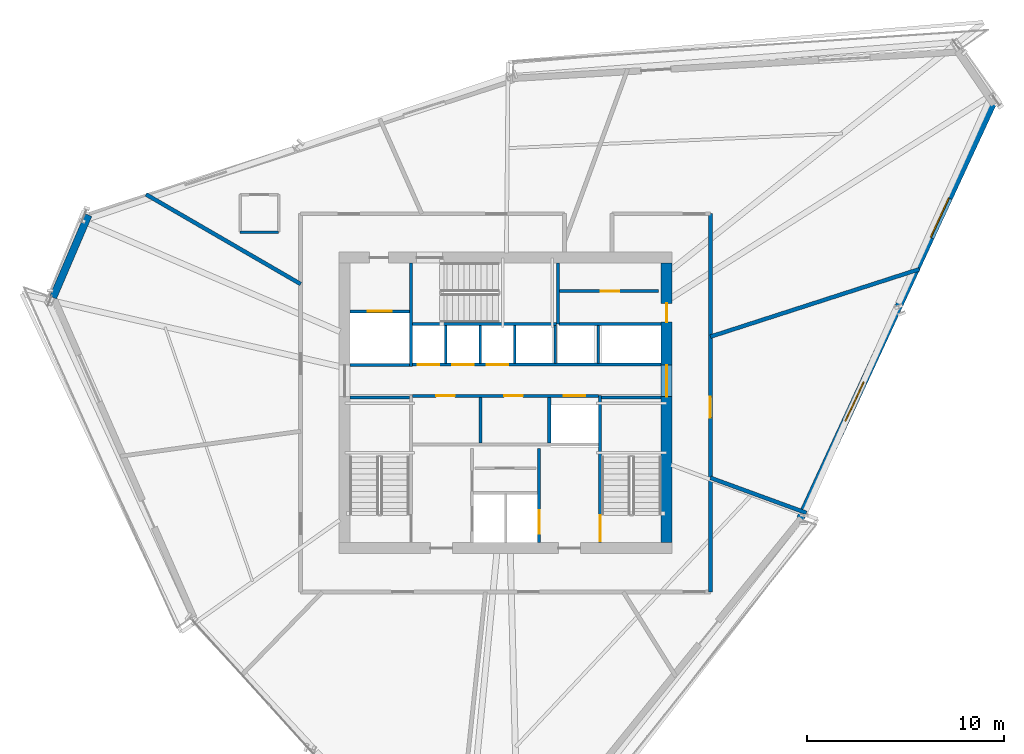
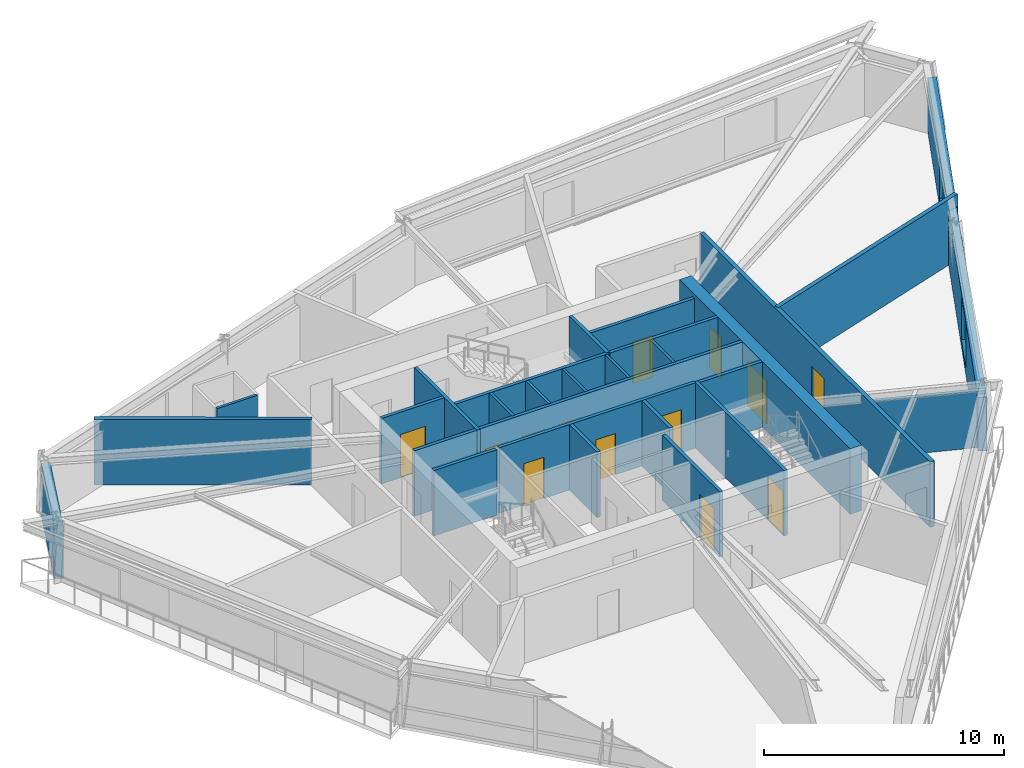
# One storey, part 9 of 13: 28 walls, 13 doors, 2 windows, 15 openings.
"""IFC4 building model written with IfcOpenShell, lengths in metres."""

from ifc_helpers import new_model, si_unit, direction, frame, frame_2d, origin, place, context, subcontext, project, spatial, rectangle, extrude, source, transform, mapped, material, layer, layer_set, type_object, type_shapes, element, fill, save


model = new_model("IFC4")

# Units and contexts
model_context = context("Model", 3, precision=1e-05, world=origin(), true_north=direction((0.0, 1.0)))
body_context = subcontext(model_context, "Body", "Model", "MODEL_VIEW")
ifc_project = project(units=[si_unit("LENGTHUNIT", "METRE"), si_unit("AREAUNIT", "SQUARE_METRE"), si_unit("VOLUMEUNIT", "CUBIC_METRE"), si_unit("PLANEANGLEUNIT", "RADIAN"), si_unit("MASSUNIT", "GRAM", prefix="KILO")], contexts=[model_context])

# Site, building, storey
site_placement = place(None, origin())
site = spatial("IfcSite", under=ifc_project, at=site_placement, CompositionType="ELEMENT")
building_placement = place(site_placement, origin())
building = spatial("IfcBuilding", under=site, at=building_placement, Name="Olszyna Solenne Hotel", CompositionType="ELEMENT")
storey_placement = place(building_placement, frame((0.0, 0.0, 175.0)))
storey = spatial("IfcBuildingStorey", under=building, at=storey_placement, Name="L46", CompositionType="ELEMENT", Elevation=175.0)

# Wall, openings, doors
ifc_material_1 = material(Name="Concrete C50/60", Category="concrete")
ifc_layer_1 = layer(ifc_material_1, 0.550048828125, Name="Concrete C50/60")
ifc_layer_set_1 = layer_set([ifc_layer_1], Name="Concrete C50/60")
wall_type_1 = type_object("IfcWallType", Name="WL-CR550", PredefinedType="SHEAR", material=ifc_layer_set_1)
wall_1_placement = place(storey_placement, frame((46.175048828125, 33.699951171875, 0.0), z_axis=(0.0, 0.0, 1.0), x_axis=(0.0, -1.0, 0.0)))
wall_1 = element("IfcWall", 1, at=wall_1_placement, inside=storey, type_object=wall_type_1, Name="Core shear wall WL-CR550 CRW-L46-E", PredefinedType="SHEAR", context=body_context, shape_type="SweptSolid", body=[
    extrude(rectangle(XDim=14.199951171875, YDim=0.550048828125, at=frame_2d((7.10009765625, 0.0))), origin(), (0.0, 0.0, 1.0), 3.330078125),
])
opening_1_placement = place(wall_1_placement, frame((5.179931640625, 0.0, 0.0)))
opening_1 = element("IfcOpeningElement", 2, at=opening_1_placement, cuts=wall_1, Name="Opening LHD-L46-E", PredefinedType="OPENING", context=body_context, shape_type="SweptSolid", body=[
    extrude(rectangle(XDim=1.60009765625, YDim=2.199951171875, at=frame_2d((0.800048828125, 1.10009765625))), frame((0.0, 0.28515625, 0.0), z_axis=(0.0, -1.0, 0.0), x_axis=(1.0, 0.0, 0.0)), (0.0, 0.0, 1.0), 0.570068359375),
])
opening_2_placement = place(wall_1_placement, frame((2.050048828125, 0.0, 0.0)))
opening_2 = element("IfcOpeningElement", 3, at=opening_2_placement, cuts=wall_1, Name="Opening SVD-L46-BE", PredefinedType="OPENING", context=body_context, shape_type="SweptSolid", body=[
    extrude(rectangle(XDim=0.949951171875, YDim=2.10009765625, at=frame_2d((0.47509765625, 1.050048828125))), frame((0.0, 0.28515625, 0.0), z_axis=(0.0, -1.0, 0.0), x_axis=(1.0, 0.0, 0.0)), (0.0, 0.0, 1.0), 0.570068359375),
])
ifc_material_2 = material(Name="Steel S355J2", Category="steel")
door_type_1 = type_object("IfcDoorType", Name="DR-SV1", OperationType="NOTDEFINED", PredefinedType="DOOR", material=ifc_material_2)
shared_shape_1 = source(origin(), body_context, "Body", "SweptSolid", [
    extrude(rectangle(XDim=0.949951171875, YDim=2.10009765625, at=frame_2d((0.47509765625, 1.050048828125))), frame((0.0, 0.02490234375, 0.0), z_axis=(0.0, -1.0, 0.0), x_axis=(1.0, 0.0, 0.0)), (0.0, 0.0, 1.0), 0.050048828125),
])
type_shapes(door_type_1, [shared_shape_1])
door_1_placement = place(opening_2_placement, origin())
door_1 = element("IfcDoor", 4, at=door_1_placement, inside=storey, type_object=door_type_1, Name="Housekeeping core fire door SVD-L46-BE", OperationType="SINGLE_SWING_RIGHT", OverallHeight=2.10009765625, OverallWidth=0.949951171875, PredefinedType="DOOR", context=body_context, shape_type="MappedRepresentation", body=[
    mapped(shared_shape_1, transform((0.0, 0.0, 0.0), x_axis=(1.0, 0.0, 0.0), y_axis=(0.0, 1.0, 0.0), z_axis=(0.0, 0.0, 1.0), scale=1.0)),
])
fill(opening_2, door_1)
ifc_material_3 = material(Name="Timber hardwood", Category="wood")
door_type_2 = type_object("IfcDoorType", Name="DR-CR1", OperationType="DOUBLE_DOOR_SINGLE_SWING", PredefinedType="DOOR", material=ifc_material_3)
shared_shape_2 = source(origin(), body_context, "Body", "SweptSolid", [
    extrude(rectangle(XDim=1.60009765625, YDim=2.199951171875, at=frame_2d((0.800048828125, 1.10009765625))), frame((0.0, 0.02490234375, 0.0), z_axis=(0.0, -1.0, 0.0), x_axis=(1.0, 0.0, 0.0)), (0.0, 0.0, 1.0), 0.050048828125),
])
type_shapes(door_type_2, [shared_shape_2])
door_2_placement = place(opening_1_placement, origin())
door_2 = element("IfcDoor", 5, at=door_2_placement, inside=storey, type_object=door_type_2, Name="Passenger lift lobby East fire door LHD-L46-E", OperationType="DOUBLE_DOOR_SINGLE_SWING", OverallHeight=2.199951171875, OverallWidth=1.60009765625, PredefinedType="DOOR", context=body_context, shape_type="MappedRepresentation", body=[
    mapped(shared_shape_2, transform((0.0, 0.0, 0.0), x_axis=(1.0, 0.0, 0.0), y_axis=(0.0, 1.0, 0.0), z_axis=(0.0, 0.0, 1.0), scale=1.0)),
])
fill(opening_1, door_2)

# Wall
ifc_material_4 = material(Name="Terracotta cladding on precast concrete C45/55", Category="masonry")
ifc_layer_2 = layer(ifc_material_4, 0.3798828125, Name="Terracotta cladding on precast concrete C45/55")
ifc_layer_set_2 = layer_set([ifc_layer_2], Name="Terracotta cladding on precast concrete C45/55")
wall_type_2 = type_object("IfcWallType", Name="WL-EX380", PredefinedType="SOLIDWALL", material=ifc_layer_set_2)
wall_2_placement = place(storey_placement, frame((15.025390625, 31.944091796875, 0.0), z_axis=(0.0, 0.0, 1.0), x_axis=(0.393899918286, 0.919153335616, 0.0)))
element("IfcWall", 6, at=wall_2_placement, inside=storey, type_object=wall_type_2, Name="Exterior terracotta-precast frame wall WL-EX380 EW-L46-06", PredefinedType="SOLIDWALL", context=body_context, shape_type="SweptSolid", body=[
    extrude(rectangle(XDim=4.56103515625, YDim=0.3798828125, at=frame_2d((2.280517578125, 0.0))), origin(), (0.0, 0.0, 1.0), 2.721923828125),
])

# Wall, openings, windows
wall_3_placement = place(storey_placement, frame((62.79248046875, 41.937744140625, 0.0), z_axis=(0.0, 0.0, 1.0), x_axis=(-0.420482819505, -0.907300500662, 0.0)))
wall_3 = element("IfcWall", 7, at=wall_3_placement, inside=storey, type_object=wall_type_2, Name="Exterior terracotta-precast frame wall WL-EX380 EW-L46-10", PredefinedType="SOLIDWALL", context=body_context, shape_type="SweptSolid", body=[
    extrude(rectangle(XDim=23.378173828125, YDim=0.3798828125, at=frame_2d((11.68896484375, 0.0))), origin(), (0.0, 0.0, 1.0), 2.721923828125),
])
opening_3_placement = place(wall_3_placement, frame((5.446044921875, 0.0, 0.35205078125)))
opening_3 = element("IfcOpeningElement", 8, at=opening_3_placement, cuts=wall_3, Name="Opening WN-L46-291", PredefinedType="OPENING", context=body_context, shape_type="SweptSolid", body=[
    extrude(rectangle(XDim=2.199951171875, YDim=2.25, at=frame_2d((1.10009765625, 1.125))), frame((0.0, 0.199951171875, 0.0), z_axis=(0.0, -1.0, 0.0), x_axis=(1.0, 0.0, 0.0)), (0.0, 0.0, 1.0), 0.39990234375),
])
opening_4_placement = place(wall_3_placement, frame((15.73193359375, 0.0, 0.35205078125)))
opening_4 = element("IfcOpeningElement", 9, at=opening_4_placement, cuts=wall_3, Name="Opening WN-L46-292", PredefinedType="OPENING", context=body_context, shape_type="SweptSolid", body=[
    extrude(rectangle(XDim=2.199951171875, YDim=2.25, at=frame_2d((1.10009765625, 1.125))), frame((0.0, 0.199951171875, 0.0), z_axis=(0.0, -1.0, 0.0), x_axis=(1.0, 0.0, 0.0)), (0.0, 0.0, 1.0), 0.39990234375),
])
ifc_material_5 = material(Name="Low-E triple glazing", Category="glass")
window_type = type_object("IfcWindowType", Name="WN-HT2", PartitioningType="SINGLE_PANEL", PredefinedType="WINDOW", material=ifc_material_5)
shared_shape_3 = source(origin(), body_context, "Body", "SweptSolid", [
    extrude(rectangle(XDim=2.199951171875, YDim=2.25, at=frame_2d((1.10009765625, 1.125))), frame((0.0, 0.030029296875, 0.0), z_axis=(0.0, -1.0, 0.0), x_axis=(1.0, 0.0, 0.0)), (0.0, 0.0, 1.0), 0.06005859375),
])
type_shapes(window_type, [shared_shape_3])
window_1_placement = place(opening_3_placement, origin())
window_1 = element("IfcWindow", 10, at=window_1_placement, inside=storey, type_object=window_type, Name="Exterior facade window WN-HT2 WN-L46-291", OverallHeight=2.25, OverallWidth=2.199951171875, PartitioningType="SINGLE_PANEL", PredefinedType="WINDOW", context=body_context, shape_type="MappedRepresentation", body=[
    mapped(shared_shape_3, transform((0.0, 0.0, 0.0), x_axis=(1.0, 0.0, 0.0), y_axis=(0.0, 1.0, 0.0), z_axis=(0.0, 0.0, 1.0), scale=1.0)),
])
fill(opening_3, window_1)
window_2_placement = place(opening_4_placement, origin())
window_2 = element("IfcWindow", 11, at=window_2_placement, inside=storey, type_object=window_type, Name="Exterior facade window WN-HT2 WN-L46-292", OverallHeight=2.25, OverallWidth=2.199951171875, PartitioningType="SINGLE_PANEL", PredefinedType="WINDOW", context=body_context, shape_type="MappedRepresentation", body=[
    mapped(shared_shape_3, transform((0.0, 0.0, 0.0), x_axis=(1.0, 0.0, 0.0), y_axis=(0.0, 1.0, 0.0), z_axis=(0.0, 0.0, 1.0), scale=1.0)),
])
fill(opening_4, window_2)

# Walls
ifc_material_6 = material(Name="Acoustic gypsum partition", Category="gypsum")
ifc_layer_3 = layer(ifc_material_6, 0.125, Name="Acoustic gypsum partition")
ifc_layer_set_3 = layer_set([ifc_layer_3], Name="Acoustic gypsum partition")
wall_type_3 = type_object("IfcWallType", Name="WL-PT125", PredefinedType="PARTITIONING", material=ifc_layer_set_3)
for number, where, z_axis, x_axis, name in (
    (12, (34.965087890625, 28.60009765625, 0.0), (0.0, 0.0, 1.0), (0.0, 1.0, 0.0), "Core shaft compartment wall CW-L46-DIVN349"),
    (13, (36.715087890625, 28.60009765625, 0.0), (0.0, 0.0, 1.0), (0.0, 1.0, 0.0), "Core shaft compartment wall CW-L46-DIVN367"),
    (14, (38.465087890625, 28.60009765625, 0.0), (0.0, 0.0, 1.0), (0.0, 1.0, 0.0), "Core shaft compartment wall CW-L46-DIVN384"),
    (15, (40.52490234375, 28.60009765625, 0.0), (0.0, 0.0, 1.0), (0.0, 1.0, 0.0), "Core shaft compartment wall CW-L46-DIVEX405"),
    (16, (42.699951171875, 28.60009765625, 0.0), (0.0, 0.0, 1.0), (0.0, 1.0, 0.0), "Core shaft compartment wall CW-L46-DIVEX427"),
):
    element("IfcWall", number, at=place(storey_placement, frame(where, z_axis=z_axis, x_axis=x_axis)), inside=storey, type_object=wall_type_3, Name=name, PredefinedType="PARTITIONING", context=body_context, shape_type="SweptSolid", body=[
        extrude(rectangle(XDim=1.919921875, YDim=0.125, at=frame_2d((0.9599609375, 0.0))), origin(), (0.0, 0.0, 1.0), 3.330078125),
    ])
wall_4_placement = place(storey_placement, frame((24.52490234375, 35.26904296875, 0.0), z_axis=(0.0, 0.0, 1.0), x_axis=(1.0, 0.0, 0.0)))
element("IfcWall", 17, at=wall_4_placement, inside=storey, type_object=wall_type_3, Name="Interior acoustic partition WL-PT125 PW-L46-2578", PredefinedType="PARTITIONING", context=body_context, shape_type="SweptSolid", body=[
    extrude(rectangle(XDim=1.9501953125, YDim=0.125, at=frame_2d((0.97509765625, 0.0))), origin(), (0.0, 0.0, 1.0), 3.330078125),
])
ifc_layer_4 = layer(ifc_material_6, 0.159912109375, Name="Acoustic gypsum partition")
ifc_layer_set_4 = layer_set([ifc_layer_4], Name="Acoustic gypsum partition")
wall_type_4 = type_object("IfcWallType", Name="WL-PT160", PredefinedType="PARTITIONING", material=ifc_layer_set_4)
wall_5_placement = place(storey_placement, frame((30.10009765625, 26.8798828125, 0.0), z_axis=(0.0, 0.0, 1.0), x_axis=(1.0, 0.0, 0.0)))
element("IfcWall", 18, at=wall_5_placement, inside=storey, type_object=wall_type_4, Name="Core shaft compartment wall CW-L46-ST1N", PredefinedType="PARTITIONING", context=body_context, shape_type="SweptSolid", body=[
    extrude(rectangle(XDim=3.02001953125, YDim=0.159912109375, at=frame_2d((1.510009765625, 0.0))), origin(), (0.0, 0.0, 1.0), 3.330078125),
])

# Wall, opening, door
wall_6_placement = place(storey_placement, frame((42.800048828125, 26.9599609375, 0.0), z_axis=(0.0, 0.0, 1.0), x_axis=(0.0, -1.0, 0.0)))
wall_6 = element("IfcWall", 19, at=wall_6_placement, inside=storey, type_object=wall_type_4, Name="Core shaft compartment wall CW-L46-ST2W", PredefinedType="PARTITIONING", context=body_context, shape_type="SweptSolid", body=[
    extrude(rectangle(XDim=7.4599609375, YDim=0.159912109375, at=frame_2d((3.72998046875, 0.0))), origin(), (0.0, 0.0, 1.0), 3.330078125),
])
opening_5_placement = place(wall_6_placement, frame((6.06005859375, 0.0, 0.0)))
opening_5 = element("IfcOpeningElement", 20, at=opening_5_placement, cuts=wall_6, Name="Opening STD-L46-02", PredefinedType="OPENING", context=body_context, shape_type="SweptSolid", body=[
    extrude(rectangle(XDim=1.320068359375, YDim=2.199951171875, at=frame_2d((0.66015625, 1.10009765625))), frame((0.0, 0.08984375, 0.0), z_axis=(0.0, -1.0, 0.0), x_axis=(1.0, 0.0, 0.0)), (0.0, 0.0, 1.0), 0.179931640625),
])
door_type_3 = type_object("IfcDoorType", Name="DR-ST1", OperationType="NOTDEFINED", PredefinedType="DOOR", material=ifc_material_2)
shared_shape_4 = source(origin(), body_context, "Body", "SweptSolid", [
    extrude(rectangle(XDim=1.320068359375, YDim=2.199951171875, at=frame_2d((0.66015625, 1.10009765625))), frame((0.0, 0.02490234375, 0.0), z_axis=(0.0, -1.0, 0.0), x_axis=(1.0, 0.0, 0.0)), (0.0, 0.0, 1.0), 0.050048828125),
])
type_shapes(door_type_3, [shared_shape_4])
door_3_placement = place(opening_5_placement, origin())
door_3 = element("IfcDoor", 21, at=door_3_placement, inside=storey, type_object=door_type_3, Name="Pressurised exit stair ST2 fire door STD-L46-02", OperationType="SINGLE_SWING_RIGHT", OverallHeight=2.199951171875, OverallWidth=1.320068359375, PredefinedType="DOOR", context=body_context, shape_type="MappedRepresentation", body=[
    mapped(shared_shape_4, transform((0.0, 0.0, 0.0), x_axis=(1.0, 0.0, 0.0), y_axis=(0.0, 1.0, 0.0), z_axis=(0.0, 0.0, 1.0), scale=1.0)),
])
fill(opening_5, door_3)

# Walls
wall_7_placement = place(storey_placement, frame((42.8798828125, 26.8798828125, 0.0), z_axis=(0.0, 0.0, 1.0), x_axis=(1.0, 0.0, 0.0)))
element("IfcWall", 22, at=wall_7_placement, inside=storey, type_object=wall_type_4, Name="Core shaft compartment wall CW-L46-ST2N", PredefinedType="PARTITIONING", context=body_context, shape_type="SweptSolid", body=[
    extrude(rectangle(XDim=3.02001953125, YDim=0.159912109375, at=frame_2d((1.510009765625, 0.0))), origin(), (0.0, 0.0, 1.0), 3.330078125),
])
wall_8_placement = place(storey_placement, frame((33.280029296875, 30.60009765625, 0.0), z_axis=(0.0, 0.0, 1.0), x_axis=(1.0, 0.0, 0.0)))
element("IfcWall", 23, at=wall_8_placement, inside=storey, type_object=wall_type_4, Name="Core shaft compartment wall CW-L46-ST3S", PredefinedType="PARTITIONING", context=body_context, shape_type="SweptSolid", body=[
    extrude(rectangle(XDim=7.300048828125, YDim=0.159912109375, at=frame_2d((3.64990234375, 0.0))), origin(), (0.0, 0.0, 1.0), 3.330078125),
])
wall_9_placement = place(storey_placement, frame((40.659912109375, 30.60009765625, 0.0), z_axis=(0.0, 0.0, 1.0), x_axis=(0.0, 1.0, 0.0)))
element("IfcWall", 24, at=wall_9_placement, inside=storey, type_object=wall_type_4, Name="Core shaft compartment wall CW-L46-ST3E", PredefinedType="PARTITIONING", context=body_context, shape_type="SweptSolid", body=[
    extrude(rectangle(XDim=3.099853515625, YDim=0.159912109375, at=frame_2d((1.5498046875, 0.0))), origin(), (0.0, 0.0, 1.0), 3.330078125),
])

# Wall, opening, door
wall_10_placement = place(storey_placement, frame((39.699951171875, 24.280029296875, 0.0), z_axis=(0.0, 0.0, 1.0), x_axis=(0.0, -1.0, 0.0)))
wall_10 = element("IfcWall", 25, at=wall_10_placement, inside=storey, type_object=wall_type_4, Name="Core shaft compartment wall CW-L46-FF2E", PredefinedType="PARTITIONING", context=body_context, shape_type="SweptSolid", body=[
    extrude(rectangle(XDim=4.780029296875, YDim=0.159912109375, at=frame_2d((2.39013671875, 0.0))), origin(), (0.0, 0.0, 1.0), 3.330078125),
])
opening_6_placement = place(wall_10_placement, frame((3.1201171875, 0.0, 0.0)))
opening_6 = element("IfcOpeningElement", 26, at=opening_6_placement, cuts=wall_10, Name="Opening LD-L46-FF2", PredefinedType="OPENING", context=body_context, shape_type="SweptSolid", body=[
    extrude(rectangle(XDim=1.199951171875, YDim=2.199951171875, at=frame_2d((0.60009765625, 1.10009765625))), frame((0.0, 0.08984375, 0.0), z_axis=(0.0, -1.0, 0.0), x_axis=(1.0, 0.0, 0.0)), (0.0, 0.0, 1.0), 0.179931640625),
])
door_type_4 = type_object("IfcDoorType", Name="LD-FF1", OperationType="DOUBLE_DOOR_SLIDING", PredefinedType="DOOR", material=ifc_material_2)
shared_shape_5 = source(origin(), body_context, "Body", "SweptSolid", [
    extrude(rectangle(XDim=1.199951171875, YDim=2.199951171875, at=frame_2d((0.60009765625, 1.10009765625))), frame((0.0, 0.02490234375, 0.0), z_axis=(0.0, -1.0, 0.0), x_axis=(1.0, 0.0, 0.0)), (0.0, 0.0, 1.0), 0.050048828125),
])
type_shapes(door_type_4, [shared_shape_5])
door_4_placement = place(opening_6_placement, origin())
door_4 = element("IfcDoor", 27, at=door_4_placement, inside=storey, type_object=door_type_4, Name="Firefighters lift FF2 sliding landing door LD-L46-FF2", OperationType="DOUBLE_DOOR_SLIDING", OverallHeight=2.199951171875, OverallWidth=1.199951171875, PredefinedType="DOOR", context=body_context, shape_type="MappedRepresentation", body=[
    mapped(shared_shape_5, transform((0.0, 0.0, 0.0), x_axis=(1.0, 0.0, 0.0), y_axis=(0.0, 1.0, 0.0), z_axis=(0.0, 0.0, 1.0), scale=1.0)),
])
fill(opening_6, door_4)

# Walls
wall_11_placement = place(storey_placement, frame((30.10009765625, 28.52001953125, 0.0), z_axis=(0.0, 0.0, 1.0), x_axis=(1.0, 0.0, 0.0)))
element("IfcWall", 28, at=wall_11_placement, inside=storey, type_object=wall_type_4, Name="Core shaft compartment wall CW-L46-SV1S", PredefinedType="PARTITIONING", context=body_context, shape_type="SweptSolid", body=[
    extrude(rectangle(XDim=3.02001953125, YDim=0.159912109375, at=frame_2d((1.510009765625, 0.0))), origin(), (0.0, 0.0, 1.0), 3.330078125),
])
wall_12_placement = place(storey_placement, frame((33.199951171875, 28.43994140625, 0.0), z_axis=(0.0, 0.0, 1.0), x_axis=(0.0, 1.0, 0.0)))
element("IfcWall", 29, at=wall_12_placement, inside=storey, type_object=wall_type_4, Name="Core shaft compartment wall CW-L46-SV1E", PredefinedType="PARTITIONING", context=body_context, shape_type="SweptSolid", body=[
    extrude(rectangle(XDim=5.260009765625, YDim=0.159912109375, at=frame_2d((2.6298828125, 0.0))), origin(), (0.0, 0.0, 1.0), 3.330078125),
])

# Wall, opening, door
wall_13_placement = place(storey_placement, frame((30.10009765625, 31.239990234375, 0.0), z_axis=(0.0, 0.0, 1.0), x_axis=(1.0, 0.0, 0.0)))
wall_13 = element("IfcWall", 30, at=wall_13_placement, inside=storey, type_object=wall_type_4, Name="Core shaft compartment wall CW-L46-SV1N", PredefinedType="PARTITIONING", context=body_context, shape_type="SweptSolid", body=[
    extrude(rectangle(XDim=3.02001953125, YDim=0.159912109375, at=frame_2d((1.510009765625, 0.0))), origin(), (0.0, 0.0, 1.0), 3.330078125),
])
opening_7_placement = place(wall_13_placement, frame((0.909912109375, 0.0, 0.0)))
opening_7 = element("IfcOpeningElement", 31, at=opening_7_placement, cuts=wall_13, Name="Opening LD-L46-SV1", PredefinedType="OPENING", context=body_context, shape_type="SweptSolid", body=[
    extrude(rectangle(XDim=1.199951171875, YDim=2.199951171875, at=frame_2d((0.60009765625, 1.10009765625))), frame((0.0, 0.08984375, 0.0), z_axis=(0.0, -1.0, 0.0), x_axis=(1.0, 0.0, 0.0)), (0.0, 0.0, 1.0), 0.179931640625),
])
door_5_placement = place(opening_7_placement, origin())
door_5 = element("IfcDoor", 32, at=door_5_placement, inside=storey, type_object=door_type_4, Name="Service lift SV1 sliding landing door LD-L46-SV1", OperationType="DOUBLE_DOOR_SLIDING", OverallHeight=2.199951171875, OverallWidth=1.199951171875, PredefinedType="DOOR", context=body_context, shape_type="MappedRepresentation", body=[
    mapped(shared_shape_5, transform((0.0, 0.0, 0.0), x_axis=(1.0, 0.0, 0.0), y_axis=(0.0, 1.0, 0.0), z_axis=(0.0, 0.0, 1.0), scale=1.0)),
])
fill(opening_7, door_5)

# Wall, openings, doors
wall_14_placement = place(storey_placement, frame((33.280029296875, 26.949951171875, 0.0), z_axis=(0.0, 0.0, 1.0), x_axis=(1.0, 0.0, 0.0)))
wall_14 = element("IfcWall", 33, at=wall_14_placement, inside=storey, type_object=wall_type_4, Name="Core shaft compartment wall CW-L46-LRS", PredefinedType="PARTITIONING", context=body_context, shape_type="SweptSolid", body=[
    extrude(rectangle(XDim=9.43994140625, YDim=0.159912109375, at=frame_2d((4.719970703125, 0.0))), origin(), (0.0, 0.0, 1.0), 3.330078125),
])
opening_8_placement = place(wall_14_placement, frame((1.199951171875, 0.0, 0.0)))
opening_8 = element("IfcOpeningElement", 34, at=opening_8_placement, cuts=wall_14, Name="Opening SVD-L46-L71", PredefinedType="OPENING", context=body_context, shape_type="SweptSolid", body=[
    extrude(rectangle(XDim=0.949951171875, YDim=2.10009765625, at=frame_2d((0.47509765625, 1.050048828125))), frame((0.0, 0.08984375, 0.0), z_axis=(0.0, -1.0, 0.0), x_axis=(1.0, 0.0, 0.0)), (0.0, 0.0, 1.0), 0.179931640625),
])
opening_9_placement = place(wall_14_placement, frame((4.64990234375, 0.0, 0.0)))
opening_9 = element("IfcOpeningElement", 35, at=opening_9_placement, cuts=wall_14, Name="Opening SVD-L46-L72", PredefinedType="OPENING", context=body_context, shape_type="SweptSolid", body=[
    extrude(rectangle(XDim=0.949951171875, YDim=2.10009765625, at=frame_2d((0.47509765625, 1.050048828125))), frame((0.0, 0.08984375, 0.0), z_axis=(0.0, -1.0, 0.0), x_axis=(1.0, 0.0, 0.0)), (0.0, 0.0, 1.0), 0.179931640625),
])
opening_10_placement = place(wall_14_placement, frame((7.669921875, 0.0, 0.0)))
opening_10 = element("IfcOpeningElement", 36, at=opening_10_placement, cuts=wall_14, Name="Opening LD-L46-PL5", PredefinedType="OPENING", context=body_context, shape_type="SweptSolid", body=[
    extrude(rectangle(XDim=1.10009765625, YDim=2.199951171875, at=frame_2d((0.550048828125, 1.10009765625))), frame((0.0, 0.08984375, 0.0), z_axis=(0.0, -1.0, 0.0), x_axis=(1.0, 0.0, 0.0)), (0.0, 0.0, 1.0), 0.179931640625),
])
door_6_placement = place(opening_8_placement, origin())
door_6 = element("IfcDoor", 37, at=door_6_placement, inside=storey, type_object=door_type_1, Name="Recaptured core room fire door SVD-L46-L71", OperationType="SINGLE_SWING_LEFT", OverallHeight=2.10009765625, OverallWidth=0.949951171875, PredefinedType="DOOR", context=body_context, shape_type="MappedRepresentation", body=[
    mapped(shared_shape_1, transform((0.0, 0.0, 0.0), x_axis=(1.0, 0.0, 0.0), y_axis=(0.0, 1.0, 0.0), z_axis=(0.0, 0.0, 1.0), scale=1.0)),
])
fill(opening_8, door_6)
door_7_placement = place(opening_9_placement, origin())
door_7 = element("IfcDoor", 38, at=door_7_placement, inside=storey, type_object=door_type_1, Name="Recaptured core room fire door SVD-L46-L72", OperationType="SINGLE_SWING_RIGHT", OverallHeight=2.10009765625, OverallWidth=0.949951171875, PredefinedType="DOOR", context=body_context, shape_type="MappedRepresentation", body=[
    mapped(shared_shape_1, transform((0.0, 0.0, 0.0), x_axis=(1.0, 0.0, 0.0), y_axis=(0.0, 1.0, 0.0), z_axis=(0.0, 0.0, 1.0), scale=1.0)),
])
fill(opening_9, door_7)
door_type_5 = type_object("IfcDoorType", Name="LD-P1", OperationType="DOUBLE_DOOR_SLIDING", PredefinedType="DOOR", material=ifc_material_2)
shared_shape_6 = source(origin(), body_context, "Body", "SweptSolid", [
    extrude(rectangle(XDim=1.10009765625, YDim=2.199951171875, at=frame_2d((0.550048828125, 1.10009765625))), frame((0.0, 0.02490234375, 0.0), z_axis=(0.0, -1.0, 0.0), x_axis=(1.0, 0.0, 0.0)), (0.0, 0.0, 1.0), 0.050048828125),
])
type_shapes(door_type_5, [shared_shape_6])
door_8_placement = place(opening_10_placement, origin())
door_8 = element("IfcDoor", 39, at=door_8_placement, inside=storey, type_object=door_type_5, Name="Passenger lift PL5 sliding landing door LD-L46-PL5", OperationType="DOUBLE_DOOR_SLIDING", OverallHeight=2.199951171875, OverallWidth=1.10009765625, PredefinedType="DOOR", context=body_context, shape_type="MappedRepresentation", body=[
    mapped(shared_shape_6, transform((0.0, 0.0, 0.0), x_axis=(1.0, 0.0, 0.0), y_axis=(0.0, 1.0, 0.0), z_axis=(0.0, 0.0, 1.0), scale=1.0)),
])
fill(opening_10, door_8)

# Walls
for number, where, z_axis, x_axis, name in (
    (40, (36.72998046875, 24.56005859375, 0.0), (0.0, 0.0, 1.0), (0.0, 1.0, 0.0), "Core shaft compartment wall CW-L46-LV7DIV1"),
    (41, (40.215087890625, 24.56005859375, 0.0), (0.0, 0.0, 1.0), (0.0, 1.0, 0.0), "Core shaft compartment wall CW-L46-LV7DIV2"),
):
    element("IfcWall", number, at=place(storey_placement, frame(where, z_axis=z_axis, x_axis=x_axis)), inside=storey, type_object=wall_type_4, Name=name, PredefinedType="PARTITIONING", context=body_context, shape_type="SweptSolid", body=[
        extrude(rectangle(XDim=2.31005859375, YDim=0.159912109375, at=frame_2d((1.155029296875, 0.0))), origin(), (0.0, 0.0, 1.0), 3.330078125),
    ])

# Wall, openings, doors
wall_15_placement = place(storey_placement, frame((33.280029296875, 28.5400390625, 0.0), z_axis=(0.0, 0.0, 1.0), x_axis=(1.0, 0.0, 0.0)))
wall_15 = element("IfcWall", 42, at=wall_15_placement, inside=storey, type_object=wall_type_4, Name="Core shaft compartment wall CW-L46-LRN", PredefinedType="PARTITIONING", context=body_context, shape_type="SweptSolid", body=[
    extrude(rectangle(XDim=12.619873046875, YDim=0.159912109375, at=frame_2d((6.31005859375, 0.0))), origin(), (0.0, 0.0, 1.0), 3.330078125),
])
opening_11_placement = place(wall_15_placement, frame((0.260009765625, 0.0, 0.0)))
opening_11 = element("IfcOpeningElement", 43, at=opening_11_placement, cuts=wall_15, Name="Opening LD-L46-PL6", PredefinedType="OPENING", context=body_context, shape_type="SweptSolid", body=[
    extrude(rectangle(XDim=1.10009765625, YDim=2.199951171875, at=frame_2d((0.550048828125, 1.10009765625))), frame((0.0, 0.08984375, 0.0), z_axis=(0.0, -1.0, 0.0), x_axis=(1.0, 0.0, 0.0)), (0.0, 0.0, 1.0), 0.179931640625),
])
opening_12_placement = place(wall_15_placement, frame((2.010009765625, 0.0, 0.0)))
opening_12 = element("IfcOpeningElement", 44, at=opening_12_placement, cuts=wall_15, Name="Opening LD-L46-PL7", PredefinedType="OPENING", context=body_context, shape_type="SweptSolid", body=[
    extrude(rectangle(XDim=1.10009765625, YDim=2.199951171875, at=frame_2d((0.550048828125, 1.10009765625))), frame((0.0, 0.08984375, 0.0), z_axis=(0.0, -1.0, 0.0), x_axis=(1.0, 0.0, 0.0)), (0.0, 0.0, 1.0), 0.179931640625),
])
opening_13_placement = place(wall_15_placement, frame((3.760009765625, 0.0, 0.0)))
opening_13 = element("IfcOpeningElement", 45, at=opening_13_placement, cuts=wall_15, Name="Opening LD-L46-PL8", PredefinedType="OPENING", context=body_context, shape_type="SweptSolid", body=[
    extrude(rectangle(XDim=1.10009765625, YDim=2.199951171875, at=frame_2d((0.550048828125, 1.10009765625))), frame((0.0, 0.08984375, 0.0), z_axis=(0.0, -1.0, 0.0), x_axis=(1.0, 0.0, 0.0)), (0.0, 0.0, 1.0), 0.179931640625),
])
door_9_placement = place(opening_11_placement, origin())
door_9 = element("IfcDoor", 46, at=door_9_placement, inside=storey, type_object=door_type_5, Name="Passenger lift PL6 sliding landing door LD-L46-PL6", OperationType="DOUBLE_DOOR_SLIDING", OverallHeight=2.199951171875, OverallWidth=1.10009765625, PredefinedType="DOOR", context=body_context, shape_type="MappedRepresentation", body=[
    mapped(shared_shape_6, transform((0.0, 0.0, 0.0), x_axis=(1.0, 0.0, 0.0), y_axis=(0.0, 1.0, 0.0), z_axis=(0.0, 0.0, 1.0), scale=1.0)),
])
fill(opening_11, door_9)
door_10_placement = place(opening_12_placement, origin())
door_10 = element("IfcDoor", 47, at=door_10_placement, inside=storey, type_object=door_type_5, Name="Passenger lift PL7 sliding landing door LD-L46-PL7", OperationType="DOUBLE_DOOR_SLIDING", OverallHeight=2.199951171875, OverallWidth=1.10009765625, PredefinedType="DOOR", context=body_context, shape_type="MappedRepresentation", body=[
    mapped(shared_shape_6, transform((0.0, 0.0, 0.0), x_axis=(1.0, 0.0, 0.0), y_axis=(0.0, 1.0, 0.0), z_axis=(0.0, 0.0, 1.0), scale=1.0)),
])
fill(opening_12, door_10)
door_11_placement = place(opening_13_placement, origin())
door_11 = element("IfcDoor", 48, at=door_11_placement, inside=storey, type_object=door_type_5, Name="Passenger lift PL8 sliding landing door LD-L46-PL8", OperationType="DOUBLE_DOOR_SLIDING", OverallHeight=2.199951171875, OverallWidth=1.10009765625, PredefinedType="DOOR", context=body_context, shape_type="MappedRepresentation", body=[
    mapped(shared_shape_6, transform((0.0, 0.0, 0.0), x_axis=(1.0, 0.0, 0.0), y_axis=(0.0, 1.0, 0.0), z_axis=(0.0, 0.0, 1.0), scale=1.0)),
])
fill(opening_13, door_11)

# Wall
wall_16_placement = place(storey_placement, frame((40.719970703125, 30.60009765625, 0.0), z_axis=(0.0, 0.0, 1.0), x_axis=(1.0, 0.0, 0.0)))
element("IfcWall", 49, at=wall_16_placement, inside=storey, type_object=wall_type_4, Name="Core shaft compartment wall CW-L46-LRNTOP", PredefinedType="PARTITIONING", context=body_context, shape_type="SweptSolid", body=[
    extrude(rectangle(XDim=5.179931640625, YDim=0.159912109375, at=frame_2d((2.58984375, 0.0))), origin(), (0.0, 0.0, 1.0), 3.330078125),
])

# Wall, opening, door
wall_17_placement = place(storey_placement, frame((40.719970703125, 32.27001953125, 0.0), z_axis=(0.0, 0.0, 1.0), x_axis=(1.0, 0.0, 0.0)))
wall_17 = element("IfcWall", 50, at=wall_17_placement, inside=storey, type_object=wall_type_4, Name="Core shaft compartment wall CW-L46-BOH2", PredefinedType="PARTITIONING", context=body_context, shape_type="SweptSolid", body=[
    extrude(rectangle(XDim=5.030029296875, YDim=0.159912109375, at=frame_2d((2.51513671875, 0.0))), origin(), (0.0, 0.0, 1.0), 3.330078125),
])
opening_14_placement = place(wall_17_placement, frame((2.10009765625, 0.0, 0.0)))
opening_14 = element("IfcOpeningElement", 51, at=opening_14_placement, cuts=wall_17, Name="Opening SVD-L46-BI2", PredefinedType="OPENING", context=body_context, shape_type="SweptSolid", body=[
    extrude(rectangle(XDim=0.949951171875, YDim=2.10009765625, at=frame_2d((0.47509765625, 1.050048828125))), frame((0.0, 0.08984375, 0.0), z_axis=(0.0, -1.0, 0.0), x_axis=(1.0, 0.0, 0.0)), (0.0, 0.0, 1.0), 0.179931640625),
])
door_12_placement = place(opening_14_placement, origin())
door_12 = element("IfcDoor", 52, at=door_12_placement, inside=storey, type_object=door_type_1, Name="BOH inter-room fire door SVD-L46-BI2", OperationType="SINGLE_SWING_RIGHT", OverallHeight=2.10009765625, OverallWidth=0.949951171875, PredefinedType="DOOR", context=body_context, shape_type="MappedRepresentation", body=[
    mapped(shared_shape_1, transform((0.0, 0.0, 0.0), x_axis=(1.0, 0.0, 0.0), y_axis=(0.0, 1.0, 0.0), z_axis=(0.0, 0.0, 1.0), scale=1.0)),
])
fill(opening_14, door_12)

# Walls
ifc_layer_5 = layer(ifc_material_6, 0.199951171875, Name="Acoustic gypsum partition")
ifc_layer_set_5 = layer_set([ifc_layer_5], Name="Acoustic gypsum partition")
wall_type_5 = type_object("IfcWallType", Name="WL-PT200", PredefinedType="PARTITIONING", material=ifc_layer_set_5)
wall_18_placement = place(storey_placement, frame((27.60009765625, 32.628662109375, 0.0), z_axis=(0.0, 0.0, 1.0), x_axis=(-0.865149978603, 0.501513224674, 0.0)))
element("IfcWall", 53, at=wall_18_placement, inside=storey, type_object=wall_type_5, Name="Interior acoustic partition WL-PT200 PW-L46-2566", PredefinedType="PARTITIONING", context=body_context, shape_type="SweptSolid", body=[
    extrude(rectangle(XDim=9.078369140625, YDim=0.199951171875, at=frame_2d((4.5390625, 0.0))), origin(), (0.0, 0.0, 1.0), 3.330078125),
])
wall_19_placement = place(storey_placement, frame((48.39990234375, 22.794189453125, 0.0), z_axis=(0.0, 0.0, 1.0), x_axis=(0.939100254498, -0.343643291805, 0.0)))
element("IfcWall", 54, at=wall_19_placement, inside=storey, type_object=wall_type_5, Name="Interior acoustic partition WL-PT200 PW-L46-2571", PredefinedType="PARTITIONING", context=body_context, shape_type="SweptSolid", body=[
    extrude(rectangle(XDim=5.18701171875, YDim=0.199951171875, at=frame_2d((2.593505859375, 0.0))), origin(), (0.0, 0.0, 1.0), 2.864990234375),
])
wall_20_placement = place(storey_placement, frame((48.39990234375, 29.958984375, 0.0), z_axis=(0.0, 0.0, 1.0), x_axis=(0.951588584085, 0.307374635648, 0.0)))
element("IfcWall", 55, at=wall_20_placement, inside=storey, type_object=wall_type_5, Name="Interior acoustic partition WL-PT200 PW-L46-2572", PredefinedType="PARTITIONING", context=body_context, shape_type="SweptSolid", body=[
    extrude(rectangle(XDim=11.14453125, YDim=0.199951171875, at=frame_2d((5.572265625, 0.0))), origin(), (0.0, 0.0, 1.0), 3.330078125),
])

# Wall, opening, door
wall_21_placement = place(storey_placement, frame((48.39990234375, 17.0, 0.0), z_axis=(0.0, 0.0, 1.0), x_axis=(0.0, 1.0, 0.0)))
wall_21 = element("IfcWall", 56, at=wall_21_placement, inside=storey, type_object=wall_type_5, Name="Interior acoustic partition WL-PT200 PW-L46-2585", PredefinedType="PARTITIONING", context=body_context, shape_type="SweptSolid", body=[
    extrude(rectangle(XDim=19.199951171875, YDim=0.199951171875, at=frame_2d((9.60009765625, 0.0))), origin(), (0.0, 0.0, 1.0), 3.330078125),
])
opening_15_placement = place(wall_21_placement, frame((8.84912109375, 0.0, 0.0)))
opening_15 = element("IfcOpeningElement", 57, at=opening_15_placement, cuts=wall_21, Name="Opening DR-L46-0628", PredefinedType="OPENING", context=body_context, shape_type="SweptSolid", body=[
    extrude(rectangle(XDim=1.050048828125, YDim=2.199951171875, at=frame_2d((0.52490234375, 1.10009765625))), frame((0.0, 0.10986328125, 0.0), z_axis=(0.0, -1.0, 0.0), x_axis=(1.0, 0.0, 0.0)), (0.0, 0.0, 1.0), 0.219970703125),
])
door_type_6 = type_object("IfcDoorType", Name="DR-RM2", OperationType="NOTDEFINED", PredefinedType="DOOR", material=ifc_material_3)
shared_shape_7 = source(origin(), body_context, "Body", "SweptSolid", [
    extrude(rectangle(XDim=1.050048828125, YDim=2.199951171875, at=frame_2d((0.52490234375, 1.10009765625))), frame((0.0, 0.02490234375, 0.0), z_axis=(0.0, -1.0, 0.0), x_axis=(1.0, 0.0, 0.0)), (0.0, 0.0, 1.0), 0.050048828125),
])
type_shapes(door_type_6, [shared_shape_7])
door_13_placement = place(opening_15_placement, origin())
door_13 = element("IfcDoor", 58, at=door_13_placement, inside=storey, type_object=door_type_6, Name="Private Business Office Entrance Door DR-L46-0628", OperationType="SINGLE_SWING_RIGHT", OverallHeight=2.199951171875, OverallWidth=1.050048828125, PredefinedType="DOOR", context=body_context, shape_type="MappedRepresentation", body=[
    mapped(shared_shape_7, transform((0.0, 0.0, 0.0), x_axis=(1.0, 0.0, 0.0), y_axis=(0.0, 1.0, 0.0), z_axis=(0.0, 0.0, 1.0), scale=1.0)),
])
fill(opening_15, door_13)

save(model, "model.ifc")
